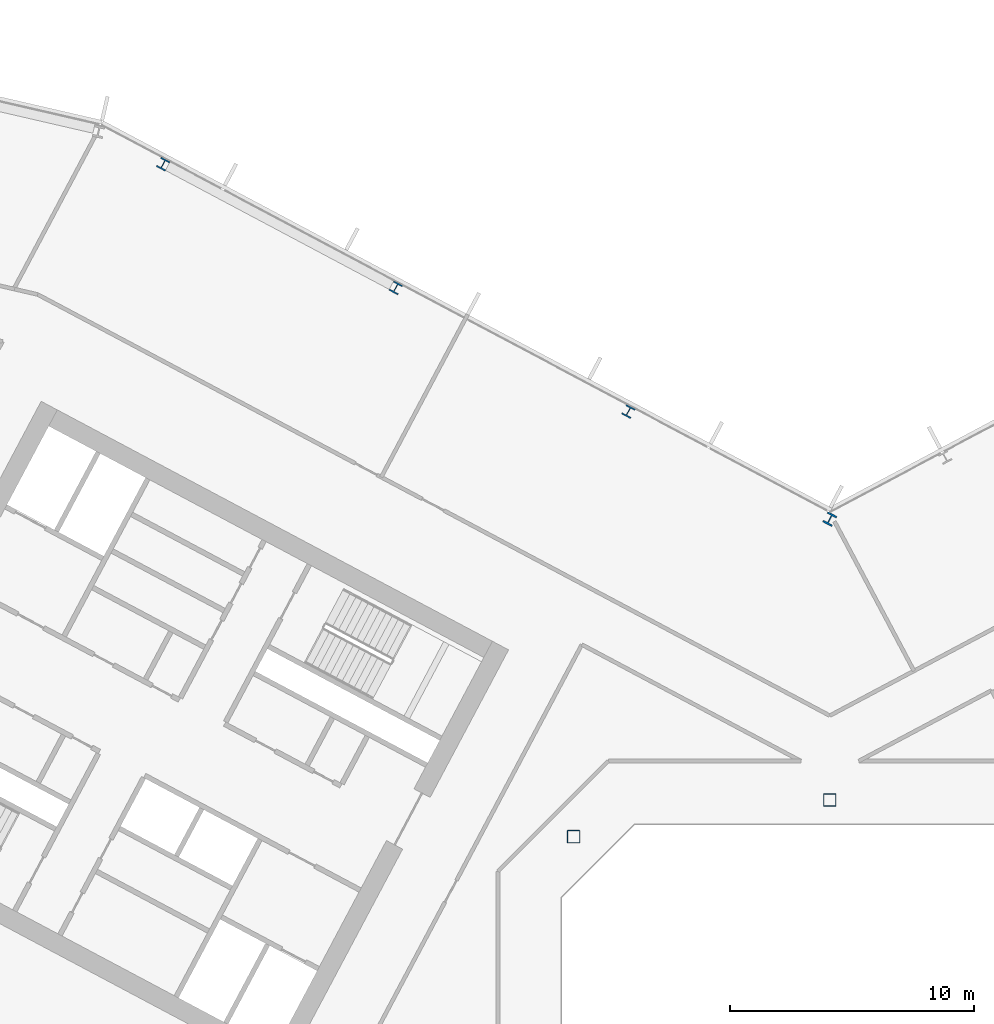
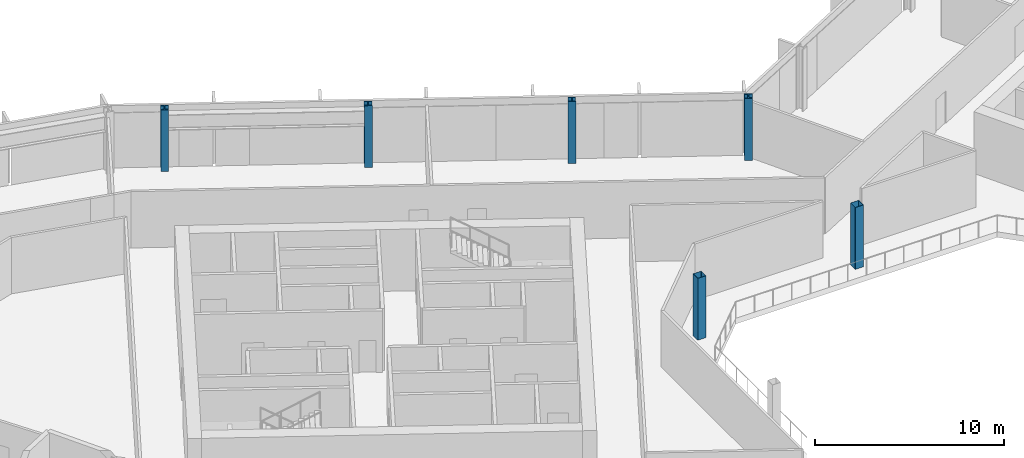
# One storey, part 4 of 28: 6 columns.
"""IFC4 building model written with IfcOpenShell, lengths in metres."""

from ifc_helpers import new_model, si_unit, direction, frame, origin, origin_2d, place, context, subcontext, project, spatial, hollow_rectangle, i_section, extrude, material, material_profile, profile_set, type_object, element, save


model = new_model("IFC4")

# Units and contexts
model_context = context("Model", 3, precision=1e-05, world=origin(), true_north=direction((0.0, 1.0)))
body_context = subcontext(model_context, "Body", "Model", "MODEL_VIEW")
ifc_project = project(units=[si_unit("LENGTHUNIT", "METRE"), si_unit("AREAUNIT", "SQUARE_METRE"), si_unit("VOLUMEUNIT", "CUBIC_METRE"), si_unit("PLANEANGLEUNIT", "RADIAN"), si_unit("MASSUNIT", "GRAM", prefix="KILO")], contexts=[model_context])

# Site, building, storey
site_placement = place(None, origin())
site = spatial("IfcSite", under=ifc_project, at=site_placement, CompositionType="ELEMENT")
building_placement = place(site_placement, origin())
building = spatial("IfcBuilding", under=site, at=building_placement, Name="Cormorant Relay Tower", CompositionType="ELEMENT")
storey_placement = place(building_placement, frame((0.0, 0.0, 146.199951171875)))
storey = spatial("IfcBuildingStorey", under=building, at=storey_placement, Name="L30", CompositionType="ELEMENT", Elevation=146.199951171875)

# Columns
ifc_material_1 = material(Name="Steel ASTM A500 Grade C (Fy 345 MPa)", Category="steel")
ifc_material_profile_1 = material_profile(ifc_material_1, hollow_rectangle(XDim=0.508056640625, YDim=0.508056640625, WallThickness=0.01171875, InnerFilletRadius=0.005859375, OuterFilletRadius=0.017822265625, at=origin_2d()), Name="HSS508x508x12")
ifc_profile_set_1 = profile_set([ifc_material_profile_1], Name="Steel ASTM A500 Grade C (Fy 345 MPa)")
column_type_1 = type_object("IfcColumnType", Name="Column HSS508x508x12", PredefinedType="COLUMN", material=ifc_profile_set_1)
for number, where, z_axis, x_axis, name in (
    (1, (-10.5, 10.5, 0.0), (0.0, 0.0, 1.0), (1.0, 0.0, 0.0), "Column L30-023"),
    (2, (0.0, 12.0, 0.0), (0.0, 0.0, 1.0), (1.0, 0.0, 0.0), "Column L30-025"),
):
    element("IfcColumn", number, at=place(storey_placement, frame(where, z_axis=z_axis, x_axis=x_axis)), inside=storey, type_object=column_type_1, Name=name, PredefinedType="COLUMN", context=body_context, shape_type="SweptSolid", body=[
        extrude(hollow_rectangle(XDim=0.508056640625, YDim=0.508056640625, WallThickness=0.01171875, InnerFilletRadius=0.005859375, OuterFilletRadius=0.017822265625, at=origin_2d()), origin(), (0.0, 0.0, 1.0), 4.0),
    ])
ifc_material_2 = material(Name="Steel ASTM A992 (Fy 345 MPa)", Category="steel")
ifc_material_profile_2 = material_profile(ifc_material_2, i_section(OverallWidth=0.41162109375, OverallDepth=0.434326171875, WebThickness=0.035888671875, FlangeThickness=0.057373046875, FilletRadius=0.01513671875, at=origin_2d()), Name="W360x463")
ifc_profile_set_2 = profile_set([ifc_material_profile_2], Name="Steel ASTM A992 (Fy 345 MPa)")
column_type_2 = type_object("IfcColumnType", Name="Column W360x463", PredefinedType="COLUMN", material=ifc_profile_set_2)
for number, where, z_axis, x_axis, name in (
    (3, (-8.257080078125, 27.925048828125, 0.0), (0.0, 0.0, 1.0), (-0.882947592859, 0.469471562786, 0.0), "Column L30-036"),
    (4, (-17.7919921875, 32.9951171875, 0.0), (0.0, 0.0, 1.0), (-0.882947592859, 0.469471562786, 0.0), "Column L30-040"),
    (5, (-27.327880859375, 38.06494140625, 0.0), (0.0, 0.0, 1.0), (-0.882947592859, 0.469471562786, 0.0), "Column L30-044"),
):
    element("IfcColumn", number, at=place(storey_placement, frame(where, z_axis=z_axis, x_axis=x_axis)), inside=storey, type_object=column_type_2, Name=name, PredefinedType="COLUMN", context=body_context, shape_type="SweptSolid", body=[
        extrude(i_section(OverallWidth=0.41162109375, OverallDepth=0.434326171875, WebThickness=0.035888671875, FlangeThickness=0.057373046875, FilletRadius=0.01513671875, at=origin_2d()), origin(), (0.0, 0.0, 1.0), 4.0),
    ])
ifc_material_3 = material(Name="Steel ASTM A992 (Fy 345 MPa)", Category="steel")
ifc_material_profile_3 = material_profile(ifc_material_3, i_section(OverallWidth=0.42431640625, OverallDepth=0.47509765625, WebThickness=0.0478515625, FlangeThickness=0.0771484375, FilletRadius=0.014892578125, at=origin_2d()), Name="W360x634")
ifc_profile_set_3 = profile_set([ifc_material_profile_3], Name="Steel ASTM A992 (Fy 345 MPa)")
column_type_3 = type_object("IfcColumnType", Name="Column W360x634", PredefinedType="COLUMN", material=ifc_profile_set_3)
column_placement = place(storey_placement, frame((0.0, 23.513916015625, 0.0), z_axis=(0.0, 0.0, 1.0), x_axis=(-0.882947592859, 0.469471562786, 0.0)))
element("IfcColumn", 6, at=column_placement, inside=storey, type_object=column_type_3, Name="Column L30-032", PredefinedType="COLUMN", context=body_context, shape_type="SweptSolid", body=[
    extrude(i_section(OverallWidth=0.42431640625, OverallDepth=0.47509765625, WebThickness=0.0478515625, FlangeThickness=0.0771484375, FilletRadius=0.014892578125, at=origin_2d()), origin(), (0.0, 0.0, 1.0), 4.0),
])

save(model, "model.ifc")
